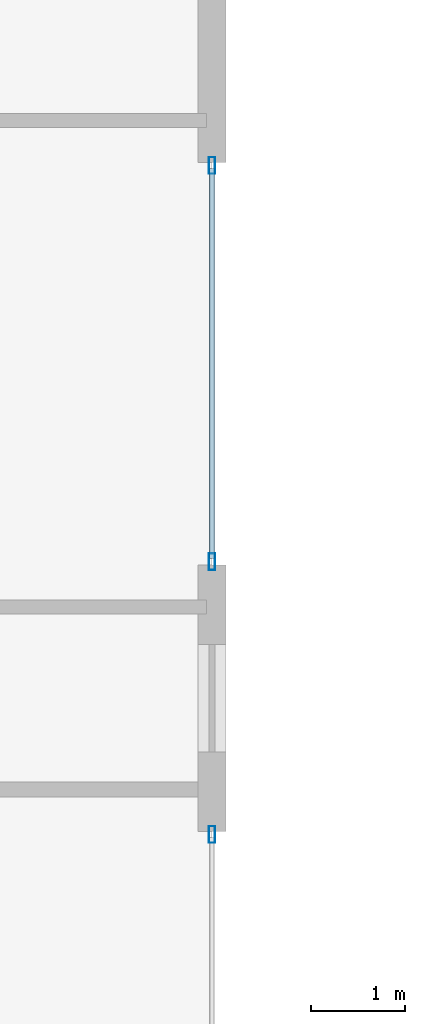
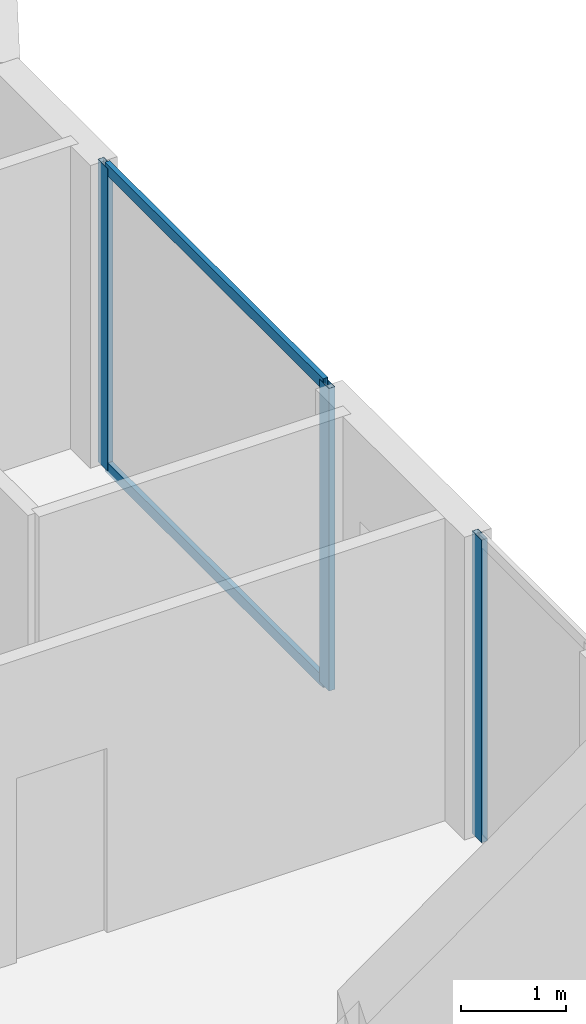
# One storey, part 13 of 32: 5 members, 2 elements without a shape of their own.
"""IFC4 building model written with IfcOpenShell, lengths in metres."""

import ifcopenshell
import ifcopenshell.guid

model = None  # the IFC model being written
_history = None  # IfcOwnerHistory: only IFC2X3 demands one
_inside = {}  # id of a spatial element -> (the spatial element, [elements in it])
_under = {}  # id of a project, library or spatial element -> (it, [spatial elements below it])
_declared = {}  # id of a project -> (the project, [libraries it declares])
_typed = {}  # id of a type object -> (the type object, [elements of that type])
_made_of = {}  # id of a material, layer set ... -> (it, [elements and type objects made of it])


def new_model(schema):
    """Start an empty IFC model of exactly this schema.

    Asked for "IFC4X3", IfcOpenShell would pick the latest addendum, in which some entities
    have other attributes; the version numbers below select the first issue.
    IFC2X3 requires an IfcOwnerHistory on every rooted entity: one is made here for all.
    """
    global model, _history
    if schema == "IFC4X3":
        model = ifcopenshell.file(schema_version=(4, 3, 0, 0))
    else:
        model = ifcopenshell.file(schema=schema)
    _inside.clear()
    _under.clear()
    _declared.clear()
    _typed.clear()
    _made_of.clear()
    _history = None
    if model.schema == "IFC2X3":
        org = make("IfcOrganization", Name="unknown")
        user = make(
            "IfcPersonAndOrganization",
            ThePerson=make("IfcPerson", FamilyName="unknown"),
            TheOrganization=org,
        )
        app = make(
            "IfcApplication",
            ApplicationDeveloper=org,
            Version="unknown",
            ApplicationFullName="unknown",
            ApplicationIdentifier="unknown",
        )
        _history = make(
            "IfcOwnerHistory",
            OwningUser=user,
            OwningApplication=app,
            ChangeAction="ADDED",
            CreationDate=0,
        )
    return model


def make(cls, **values):
    """One entity of the class cls with the attributes given. An attribute that is None is left unset."""
    return model.create_entity(
        cls, **{name: value for name, value in values.items() if value is not None}
    )


def rooted(cls, **values):
    """An entity with a GlobalId (a new one), such as an element, a storey or a relation."""
    return make(cls, GlobalId=ifcopenshell.guid.new(), OwnerHistory=_history, **values)


def si_unit(unit_type, name, prefix=None):
    """IfcSIUnit, for example si_unit("LENGTHUNIT", "METRE", prefix="MILLI")."""
    return make("IfcSIUnit", UnitType=unit_type, Prefix=prefix, Name=name)


def assignment(units):
    """IfcUnitAssignment: the units of a project."""
    return None if units is None else make("IfcUnitAssignment", Units=units)


def point(xyz):
    """IfcCartesianPoint."""
    return None if xyz is None else make("IfcCartesianPoint", Coordinates=xyz)


def direction(xyz):
    """IfcDirection."""
    return None if xyz is None else make("IfcDirection", DirectionRatios=xyz)


def frame(location, z_axis=None, x_axis=None):
    """IfcAxis2Placement3D, a coordinate frame: its origin and axes. An axis left out is left unset."""
    return make(
        "IfcAxis2Placement3D",
        Location=point(location),
        Axis=direction(z_axis),
        RefDirection=direction(x_axis),
    )


def frame_2d(location, x_axis=None):
    """IfcAxis2Placement2D, a coordinate frame in the plane: its origin and x axis."""
    return make(
        "IfcAxis2Placement2D", Location=point(location), RefDirection=direction(x_axis)
    )


def origin():
    """The frame at (0, 0, 0) with its axes left unset."""
    return frame((0.0, 0.0, 0.0))


def origin_2d():
    """The frame at (0, 0) in the plane with its x axis left unset."""
    return frame_2d((0.0, 0.0))


def place(relative_to, where):
    """IfcLocalPlacement: puts the frame where relative to a parent placement (None: the world)."""
    return make(
        "IfcLocalPlacement", PlacementRelTo=relative_to, RelativePlacement=where
    )


def context(
    kind, dimensions, precision=None, world=None, true_north=None, identifier=None
):
    """IfcGeometricRepresentationContext, for example the 3D "Model" context."""
    return make(
        "IfcGeometricRepresentationContext",
        ContextIdentifier=identifier,
        ContextType=kind,
        CoordinateSpaceDimension=dimensions,
        Precision=precision,
        WorldCoordinateSystem=world,
        TrueNorth=true_north,
    )


def subcontext(parent, identifier, kind, view, scale=None):
    """IfcGeometricRepresentationSubContext, for example "Body" below "Model"."""
    return make(
        "IfcGeometricRepresentationSubContext",
        ContextIdentifier=identifier,
        ContextType=kind,
        ParentContext=parent,
        TargetScale=scale,
        TargetView=view,
    )


def project(units=None, contexts=None):
    """IfcProject with its units and contexts."""
    return rooted(
        "IfcProject",
        Name="project",
        RepresentationContexts=contexts,
        UnitsInContext=assignment(units),
    )


def spatial(cls, under=None, at=None, **own):
    """A site, building, storey or space (cls), placed at a placement, below another one or the project."""
    s = rooted(cls, ObjectPlacement=at, **own)
    if under is not None:
        _under.setdefault(under.id(), (under, []))[1].append(s)
    return s


def profile(cls, at=None, kind="AREA", **sizes):
    """A parametric profile (cls). Its sizes go by their IFC names, for example OverallWidth=200.0."""
    return make(cls, ProfileType=kind, Position=at, **sizes)


def hollow_rectangle(**sizes):
    """IfcRectangleHollowProfileDef."""
    return profile("IfcRectangleHollowProfileDef", **sizes)


def extrude(swept, where, along, depth):
    """IfcExtrudedAreaSolid: the profile swept, set in the frame where, extruded along a direction by depth."""
    return make(
        "IfcExtrudedAreaSolid",
        SweptArea=swept,
        Position=where,
        ExtrudedDirection=direction(along),
        Depth=depth,
    )


def shape(context_of_items, identifier, shape_type, items):
    """IfcShapeRepresentation: the items that make up one representation, for example the "Body"."""
    return make(
        "IfcShapeRepresentation",
        ContextOfItems=context_of_items,
        RepresentationIdentifier=identifier,
        RepresentationType=shape_type,
        Items=items,
    )


def material(Name=None, Category=None):
    """IfcMaterial."""
    return make("IfcMaterial", Name=Name, Category=Category)


def layer(
    of_material, thickness, ventilated=None, Name=None, Category=None, Priority=None
):
    """IfcMaterialLayer: one layer of a wall or slab, of a material (None: an air gap)."""
    return make(
        "IfcMaterialLayer",
        Material=of_material,
        LayerThickness=thickness,
        IsVentilated=ventilated,
        Name=Name,
        Category=Category,
        Priority=Priority,
    )


def layer_set(layers, Name=None):
    """IfcMaterialLayerSet."""
    return make("IfcMaterialLayerSet", MaterialLayers=layers, LayerSetName=Name)


def material_profile(
    of_material, cross_section, Name=None, Category=None, Priority=None
):
    """IfcMaterialProfile: a cross section and its material."""
    return make(
        "IfcMaterialProfile",
        Name=Name,
        Material=of_material,
        Profile=cross_section,
        Priority=Priority,
        Category=Category,
    )


def profile_set(profiles, Name=None, composite=None):
    """IfcMaterialProfileSet."""
    return make(
        "IfcMaterialProfileSet",
        Name=Name,
        MaterialProfiles=profiles,
        CompositeProfile=composite,
    )


def made_of(thing, what):
    """Note that an element or type object is made of a material, layer set ...; save() writes the relation."""
    if what is not None:
        _made_of.setdefault(what.id(), (what, []))[1].append(thing)
    return thing


def type_object(cls, material=None, **own):
    """A type object (cls), such as IfcWallType, which elements share."""
    return made_of(rooted(cls, **own), material)


def element(
    cls,
    number,
    at=None,
    inside=None,
    cuts=None,
    type_object=None,
    material=None,
    context=None,
    identifier="Body",
    shape_type=None,
    held_by="IfcProductDefinitionShape",
    body=None,
    shapes=None,
    **own,
):
    """One element of the class cls, such as IfcWall. Its Tag is "e" and its number.

    at: its placement. inside: the storey or other place that contains it. cuts: it is an
    opening in that element (IfcRelVoidsElement). A single representation is given by context,
    identifier, shape_type and body (its items); several are given by shapes. held_by: the class
    of the entity that holds the representations. save() writes the other relations.
    """
    e = rooted(cls, Tag="e%d" % number, ObjectPlacement=at, **own)
    if body is not None:
        shapes = [shape(context, identifier, shape_type, body)]
    if shapes is not None:
        e.Representation = make(held_by, Representations=shapes)
    if inside is not None:
        _inside.setdefault(inside.id(), (inside, []))[1].append(e)
    if cuts is not None:
        rooted(
            "IfcRelVoidsElement", RelatingBuildingElement=cuts, RelatedOpeningElement=e
        )
    if type_object is not None:
        _typed.setdefault(type_object.id(), (type_object, []))[1].append(e)
    return made_of(e, material)


def aggregate(whole, parts):
    """IfcRelAggregates: a whole, such as a stair, and the parts it consists of."""
    return rooted("IfcRelAggregates", RelatingObject=whole, RelatedObjects=parts)


def save(model, path):
    """Write the relations noted so far, then the file.

    IfcRelAggregates (storeys below a building ...), IfcRelContainedInSpatialStructure (elements
    in a storey), IfcRelDefinesByType, IfcRelAssociatesMaterial and IfcRelDeclares: one each for
    every whole, place, type object, material and project.
    """
    for whole, parts in _under.values():
        aggregate(whole, parts)
    for where, things in _inside.values():
        rooted(
            "IfcRelContainedInSpatialStructure",
            RelatedElements=things,
            RelatingStructure=where,
        )
    for kind, things in _typed.values():
        rooted("IfcRelDefinesByType", RelatedObjects=things, RelatingType=kind)
    for what, things in _made_of.values():
        rooted("IfcRelAssociatesMaterial", RelatedObjects=things, RelatingMaterial=what)
    for by, libraries in _declared.values():
        rooted("IfcRelDeclares", RelatingContext=by, RelatedDefinitions=libraries)
    model.write(path)


model = new_model("IFC4")

# Units and contexts
model_context = context("Model", 3, precision=1e-05, world=origin(), true_north=direction((0.0, 1.0)))
body_context = subcontext(model_context, "Body", "Model", "MODEL_VIEW")
ifc_project = project(units=[si_unit("LENGTHUNIT", "METRE"), si_unit("AREAUNIT", "SQUARE_METRE"), si_unit("VOLUMEUNIT", "CUBIC_METRE"), si_unit("PLANEANGLEUNIT", "RADIAN"), si_unit("MASSUNIT", "GRAM", prefix="KILO")], contexts=[model_context])

# Site, building, storey
site_placement = place(None, origin())
site = spatial("IfcSite", under=ifc_project, at=site_placement, CompositionType="ELEMENT")
building_placement = place(site_placement, origin())
building = spatial("IfcBuilding", under=site, at=building_placement, Name="Zuhayl Quay Hotel", CompositionType="ELEMENT")
storey_placement = place(building_placement, frame((0.0, 0.0, 218.64990234375)))
storey = spatial("IfcBuildingStorey", under=building, at=storey_placement, Name="L55", CompositionType="ELEMENT", Elevation=218.64990234375)

# Curtain wall, members
ifc_material_1 = material(Name="Anodised Aluminium 6063-T6", Category="aluminium")
ifc_layer = layer(ifc_material_1, 0.175048828125, Name="Anodised Aluminium 6063-T6", Category="aluminium")
ifc_layer_set = layer_set([ifc_layer], Name="Anodised Aluminium 6063-T6")
curtain_wall_type = type_object("IfcCurtainWallType", Name="CW_SYS_Z3", PredefinedType="USERDEFINED", material=ifc_layer_set)
curtain_wall_1_placement = place(storey_placement, origin())
curtain_wall_1 = element("IfcCurtainWall", 1, at=curtain_wall_1_placement, inside=storey, type_object=curtain_wall_type, Name="L55 Curtain Wall ENV_L55_E14_CW1", ObjectType="UNITISED CURTAIN WALL", PredefinedType="USERDEFINED")
ifc_material_2 = material(Name="Black-anodised aluminium 6063-T6", Category="aluminium")
ifc_material_profile_1 = material_profile(ifc_material_2, hollow_rectangle(XDim=0.06494140625, YDim=0.179931640625, WallThickness=0.00341796875, at=origin_2d()), Name="ALU180X65")
ifc_profile_set_1 = profile_set([ifc_material_profile_1], Name="Black-anodised aluminium 6063-T6")
member_type_1 = type_object("IfcMemberType", Name="MB_CW_MUL_180", PredefinedType="MULLION", material=ifc_profile_set_1)
member_1_placement = place(storey_placement, frame((22.10009765625, 6.267578125, 0.0), z_axis=(0.0, 0.0, 1.0), x_axis=(1.0, 0.0, 0.0)))
member_1 = element("IfcMember", 2, at=member_1_placement, type_object=member_type_1, Name="CW-Z3 mullion 1", PredefinedType="MULLION", context=body_context, shape_type="SweptSolid", body=[
    extrude(hollow_rectangle(XDim=0.06494140625, YDim=0.179931640625, WallThickness=0.00341796875, at=origin_2d()), origin(), (0.0, 0.0, 1.0), 3.530029296875),
])
member_2_placement = place(storey_placement, frame((22.10009765625, 2.032470703125, 0.0), z_axis=(0.0, 0.0, 1.0), x_axis=(1.0, 0.0, 0.0)))
member_2 = element("IfcMember", 3, at=member_2_placement, type_object=member_type_1, Name="CW-Z3 mullion 2", PredefinedType="MULLION", context=body_context, shape_type="SweptSolid", body=[
    extrude(hollow_rectangle(XDim=0.06494140625, YDim=0.179931640625, WallThickness=0.00341796875, at=origin_2d()), origin(), (0.0, 0.0, 1.0), 3.530029296875),
])

# Curtain wall, member
curtain_wall_2_placement = place(storey_placement, origin())
curtain_wall_2 = element("IfcCurtainWall", 4, at=curtain_wall_2_placement, inside=storey, type_object=curtain_wall_type, Name="L55 Curtain Wall ENV_L55_E14_CW2", ObjectType="UNITISED CURTAIN WALL", PredefinedType="USERDEFINED")
member_3_placement = place(storey_placement, frame((22.10009765625, -0.882568359375, 0.0), z_axis=(0.0, 0.0, 1.0), x_axis=(1.0, 0.0, 0.0)))
member_3 = element("IfcMember", 5, at=member_3_placement, type_object=member_type_1, Name="CW-Z3 mullion 1", PredefinedType="MULLION", context=body_context, shape_type="SweptSolid", body=[
    extrude(hollow_rectangle(XDim=0.06494140625, YDim=0.179931640625, WallThickness=0.00341796875, at=origin_2d()), origin(), (0.0, 0.0, 1.0), 3.530029296875),
])
aggregate(curtain_wall_2, [member_3])

# Member
ifc_material_profile_2 = material_profile(ifc_material_2, hollow_rectangle(XDim=0.054931640625, YDim=0.1298828125, WallThickness=0.0029296875, at=origin_2d()), Name="ALU130X55")
ifc_profile_set_2 = profile_set([ifc_material_profile_2], Name="Black-anodised aluminium 6063-T6")
member_type_2 = type_object("IfcMemberType", Name="MB_CW_TRN_130", PredefinedType="USERDEFINED", material=ifc_profile_set_2)
member_4_placement = place(storey_placement, frame((22.10009765625, 6.235107421875, 0.027587890625), z_axis=(0.0, -1.0, 0.0), x_axis=(1.0, 0.0, 0.0)))
member_4 = element("IfcMember", 6, at=member_4_placement, type_object=member_type_2, Name="CW-Z3 transom 1.1", ObjectType="TRANSOM", PredefinedType="USERDEFINED", context=body_context, shape_type="SweptSolid", body=[
    extrude(hollow_rectangle(XDim=0.054931640625, YDim=0.1298828125, WallThickness=0.0029296875, at=origin_2d()), origin(), (0.0, 0.0, 1.0), 4.170166015625),
])

member_5_placement = place(storey_placement, frame((22.10009765625, 6.235107421875, 3.502685546875), z_axis=(0.0, -1.0, 0.0), x_axis=(1.0, 0.0, 0.0)))
member_5 = element("IfcMember", 7, at=member_5_placement, type_object=member_type_2, Name="CW-Z3 transom 1.2", ObjectType="TRANSOM", PredefinedType="USERDEFINED", context=body_context, shape_type="SweptSolid", body=[
    extrude(hollow_rectangle(XDim=0.054931640625, YDim=0.1298828125, WallThickness=0.0029296875, at=origin_2d()), origin(), (0.0, 0.0, 1.0), 4.170166015625),
])

aggregate(curtain_wall_1, [member_1, member_2, member_4, member_5])

save(model, "model.ifc")
